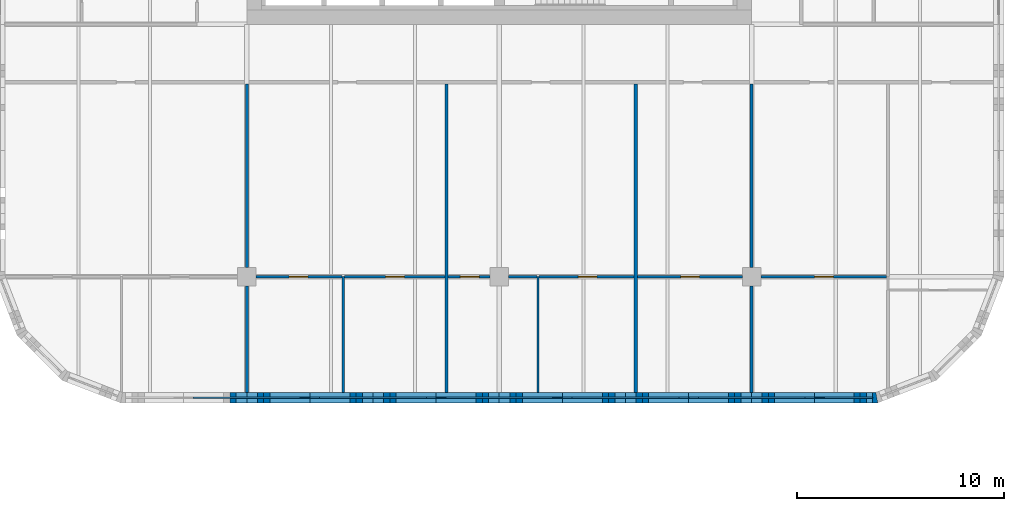
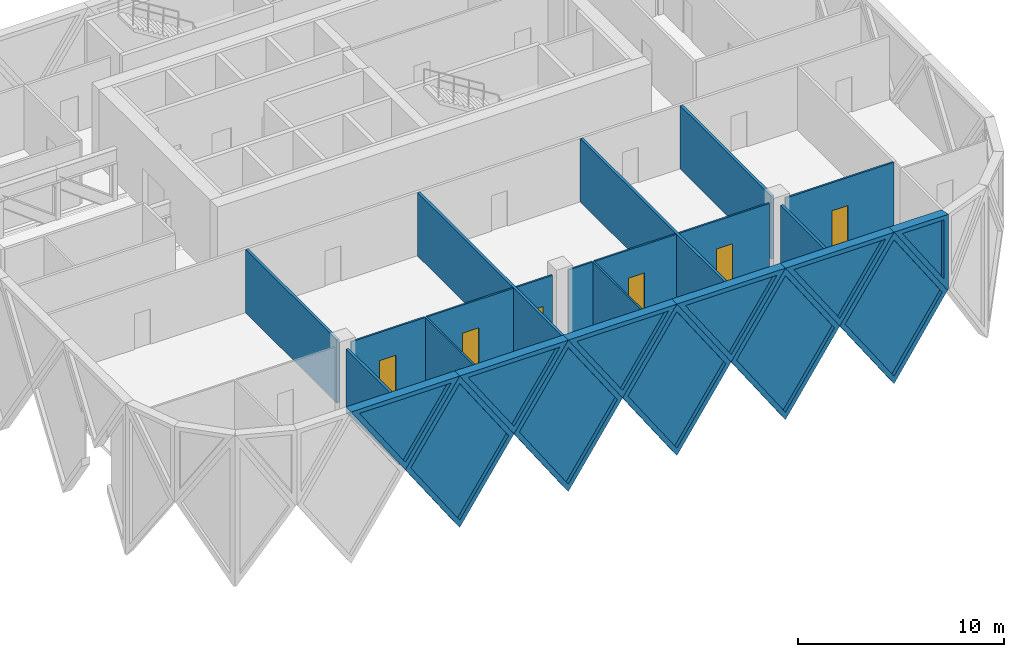
# One storey, part 21 of 30: 26 walls, 11 plates, 6 doors, 17 openings.
"""IFC4 building model written with IfcOpenShell, lengths in metres."""

from ifc_helpers import new_model, si_unit, direction, frame, frame_2d, origin, place, context, subcontext, project, spatial, polyline, rectangle, outline, extrude, faceted_brep, source, transform, mapped, material, layer, layer_set, type_object, element, fill, save


model = new_model("IFC4")

# Units and contexts
model_context = context("Model", 3, precision=1e-05, world=origin(), true_north=direction((0.0, 1.0)))
body_context = subcontext(model_context, "Body", "Model", "MODEL_VIEW")
ifc_project = project(units=[si_unit("LENGTHUNIT", "METRE"), si_unit("AREAUNIT", "SQUARE_METRE"), si_unit("VOLUMEUNIT", "CUBIC_METRE"), si_unit("PLANEANGLEUNIT", "RADIAN"), si_unit("MASSUNIT", "GRAM", prefix="KILO")], contexts=[model_context])

# Site, building, storey
site_placement = place(None, origin())
site = spatial("IfcSite", under=ifc_project, at=site_placement, CompositionType="ELEMENT")
building_placement = place(site_placement, origin())
building = spatial("IfcBuilding", under=site, at=building_placement, Name="Tessera Gate Towers", CompositionType="ELEMENT")
storey_placement = place(building_placement, frame((0.0, 0.0, 21.300048828125)))
storey = spatial("IfcBuildingStorey", under=building, at=storey_placement, Name="L04", CompositionType="ELEMENT", Elevation=21.300048828125)

# Wall, opening, door
ifc_material_1 = material(Name="Glass", Category="glass")
ifc_layer_1 = layer(ifc_material_1, 0.10009765625)
ifc_layer_set_1 = layer_set([ifc_layer_1], Name="GLAZED PARTITION 100")
wall_type_1 = type_object("IfcWallType", Name="GLAZED PARTITION 100", PredefinedType="PARTITIONING", material=ifc_layer_set_1)
wall_1_placement = place(storey_placement, frame((102.210693359375, 24.39990234375, 0.0), z_axis=(0.0, 0.0, 1.0), x_axis=(-1.0, 0.0, 0.0)))
wall_1 = element("IfcWall", 1, at=wall_1_placement, inside=storey, type_object=wall_type_1, Name="T2-L04-PW-013", PredefinedType="PARTITIONING", context=body_context, shape_type="SweptSolid", body=[
    extrude(rectangle(XDim=4.15966796875, YDim=0.10009765625, at=frame_2d((2.079833984375, 0.0))), origin(), (0.0, 0.0, 1.0), 3.766845703125),
])
shared_shape_1 = source(origin(), body_context, "Body", "SweptSolid", [
    extrude(rectangle(XDim=0.89990234375, YDim=2.10009765625, at=frame_2d((0.449951171875, 1.050048828125))), frame((0.0, 0.06005859375, 0.0), z_axis=(0.0, -1.0, 0.0), x_axis=(1.0, 0.0, 0.0)), (0.0, 0.0, 1.0), 0.1201171875),
])
opening_1_placement = place(wall_1_placement, frame((1.659912109375, 0.0, 0.0)))
opening_1 = element("IfcOpeningElement", 2, at=opening_1_placement, cuts=wall_1, Name="Opening D690-B02-02", PredefinedType="OPENING", context=body_context, shape_type="MappedRepresentation", body=[
    mapped(shared_shape_1, transform((0.0, 0.0, 0.0), scale=1.0)),
])
ifc_material_2 = material(Name="Glass in aluminium frame", Category="aluminium")
door_type = type_object("IfcDoorType", Name="GLAZED DOOR 900 NOT RATED", OperationType="NOTDEFINED", PredefinedType="DOOR", material=ifc_material_2)
shared_shape_2 = source(origin(), body_context, "Body", "SweptSolid", [
    extrude(rectangle(XDim=0.89990234375, YDim=2.10009765625, at=frame_2d((0.449951171875, 1.050048828125))), frame((0.0, 0.02490234375, 0.0), z_axis=(0.0, -1.0, 0.0), x_axis=(1.0, 0.0, 0.0)), (0.0, 0.0, 1.0), 0.050048828125),
])
door_1_placement = place(opening_1_placement, origin())
door_1 = element("IfcDoor", 3, at=door_1_placement, inside=storey, type_object=door_type, Name="T2-L04-PD-003", OperationType="SINGLE_SWING_RIGHT", OverallHeight=2.10009765625, OverallWidth=0.89990234375, PredefinedType="DOOR", context=body_context, shape_type="MappedRepresentation", body=[
    mapped(shared_shape_2, transform((0.0, 0.0, 0.0), scale=1.0)),
])
fill(opening_1, door_1)

wall_2_placement = place(storey_placement, frame((107.174072265625, 24.39990234375, 0.0), z_axis=(0.0, 0.0, 1.0), x_axis=(-1.0, 0.0, 0.0)))
wall_2 = element("IfcWall", 4, at=wall_2_placement, inside=storey, type_object=wall_type_1, Name="T2-L04-PW-014", PredefinedType="PARTITIONING", context=body_context, shape_type="SweptSolid", body=[
    extrude(rectangle(XDim=4.861328125, YDim=0.10009765625, at=frame_2d((2.4306640625, 0.0))), origin(), (0.0, 0.0, 1.0), 3.766845703125),
])
opening_2_placement = place(wall_2_placement, frame((1.961181640625, 0.0, 0.0)))
opening_2 = element("IfcOpeningElement", 5, at=opening_2_placement, cuts=wall_2, Name="Opening D690-B02-05", PredefinedType="OPENING", context=body_context, shape_type="MappedRepresentation", body=[
    mapped(shared_shape_1, transform((0.0, 0.0, 0.0), scale=1.0)),
])
door_2_placement = place(opening_2_placement, origin())
door_2 = element("IfcDoor", 6, at=door_2_placement, inside=storey, type_object=door_type, Name="T2-L04-PD-009", OperationType="SINGLE_SWING_RIGHT", OverallHeight=2.10009765625, OverallWidth=0.89990234375, PredefinedType="DOOR", context=body_context, shape_type="MappedRepresentation", body=[
    mapped(shared_shape_2, transform((0.0, 0.0, 0.0), scale=1.0)),
])
fill(opening_2, door_2)

wall_3_placement = place(storey_placement, frame((109.34912109375, 24.39990234375, 0.0), z_axis=(0.0, 0.0, 1.0), x_axis=(-1.0, 0.0, 0.0)))
wall_3 = element("IfcWall", 7, at=wall_3_placement, inside=storey, type_object=wall_type_1, Name="T2-L04-PW-015", PredefinedType="PARTITIONING", context=body_context, shape_type="SweptSolid", body=[
    extrude(rectangle(XDim=2.023193359375, YDim=0.10009765625, at=frame_2d((1.01171875, 0.0))), origin(), (0.0, 0.0, 1.0), 3.766845703125),
])
opening_3_placement = place(wall_3_placement, frame((0.52294921875, 0.0, 0.0)))
opening_3 = element("IfcOpeningElement", 8, at=opening_3_placement, cuts=wall_3, Name="Opening D690-B02-01", PredefinedType="OPENING", context=body_context, shape_type="MappedRepresentation", body=[
    mapped(shared_shape_1, transform((0.0, 0.0, 0.0), scale=1.0)),
])
door_3_placement = place(opening_3_placement, origin())
door_3 = element("IfcDoor", 9, at=door_3_placement, inside=storey, type_object=door_type, Name="T2-L04-PD-002", OperationType="SINGLE_SWING_RIGHT", OverallHeight=2.10009765625, OverallWidth=0.89990234375, PredefinedType="DOOR", context=body_context, shape_type="MappedRepresentation", body=[
    mapped(shared_shape_2, transform((0.0, 0.0, 0.0), scale=1.0)),
])
fill(opening_3, door_3)

# Wall
wall_4_placement = place(storey_placement, frame((110.2509765625, 24.39990234375, 0.0), z_axis=(0.0, 0.0, 1.0), x_axis=(1.0, 0.0, 0.0)))
element("IfcWall", 10, at=wall_4_placement, inside=storey, type_object=wall_type_1, Name="T2-L04-PW-016", PredefinedType="PARTITIONING", context=body_context, shape_type="SweptSolid", body=[
    extrude(rectangle(XDim=1.368408203125, YDim=0.10009765625, at=frame_2d((0.68408203125, 0.0))), origin(), (0.0, 0.0, 1.0), 3.766845703125),
])

# Wall, opening, door
wall_5_placement = place(storey_placement, frame((116.323974609375, 24.39990234375, 0.0), z_axis=(0.0, 0.0, 1.0), x_axis=(-1.0, 0.0, 0.0)))
wall_5 = element("IfcWall", 11, at=wall_5_placement, inside=storey, type_object=wall_type_1, Name="T2-L04-PW-017", PredefinedType="PARTITIONING", context=body_context, shape_type="SweptSolid", body=[
    extrude(rectangle(XDim=4.602783203125, YDim=0.10009765625, at=frame_2d((2.30126953125, 0.0))), origin(), (0.0, 0.0, 1.0), 3.766845703125),
])
opening_4_placement = place(wall_5_placement, frame((1.802734375, 0.0, 0.0)))
opening_4 = element("IfcOpeningElement", 12, at=opening_4_placement, cuts=wall_5, Name="Opening D690-B02-03", PredefinedType="OPENING", context=body_context, shape_type="MappedRepresentation", body=[
    mapped(shared_shape_1, transform((0.0, 0.0, 0.0), scale=1.0)),
])
door_4_placement = place(opening_4_placement, origin())
door_4 = element("IfcDoor", 13, at=door_4_placement, inside=storey, type_object=door_type, Name="T2-L04-PD-006", OperationType="SINGLE_SWING_RIGHT", OverallHeight=2.10009765625, OverallWidth=0.89990234375, PredefinedType="DOOR", context=body_context, shape_type="MappedRepresentation", body=[
    mapped(shared_shape_2, transform((0.0, 0.0, 0.0), scale=1.0)),
])
fill(opening_4, door_4)

wall_6_placement = place(storey_placement, frame((121.549072265625, 24.39990234375, 0.0), z_axis=(0.0, 0.0, 1.0), x_axis=(-1.0, 0.0, 0.0)))
wall_6 = element("IfcWall", 14, at=wall_6_placement, inside=storey, type_object=wall_type_1, Name="T2-L04-PW-018", PredefinedType="PARTITIONING", context=body_context, shape_type="SweptSolid", body=[
    extrude(rectangle(XDim=5.072998046875, YDim=0.10009765625, at=frame_2d((2.53662109375, 0.0))), origin(), (0.0, 0.0, 1.0), 3.766845703125),
])
opening_5_placement = place(wall_6_placement, frame((2.072998046875, 0.0, 0.0)))
opening_5 = element("IfcOpeningElement", 15, at=opening_5_placement, cuts=wall_6, Name="Opening D690-B02-06", PredefinedType="OPENING", context=body_context, shape_type="MappedRepresentation", body=[
    mapped(shared_shape_1, transform((0.0, 0.0, 0.0), scale=1.0)),
])
door_5_placement = place(opening_5_placement, origin())
door_5 = element("IfcDoor", 16, at=door_5_placement, inside=storey, type_object=door_type, Name="T2-L04-PD-010", OperationType="SINGLE_SWING_RIGHT", OverallHeight=2.10009765625, OverallWidth=0.89990234375, PredefinedType="DOOR", context=body_context, shape_type="MappedRepresentation", body=[
    mapped(shared_shape_2, transform((0.0, 0.0, 0.0), scale=1.0)),
])
fill(opening_5, door_5)

wall_7_placement = place(storey_placement, frame((128.52392578125, 24.39990234375, 0.0), z_axis=(0.0, 0.0, 1.0), x_axis=(-1.0, 0.0, 0.0)))
wall_7 = element("IfcWall", 17, at=wall_7_placement, inside=storey, type_object=wall_type_1, Name="T2-L04-PW-019", PredefinedType="PARTITIONING", context=body_context, shape_type="SweptSolid", body=[
    extrude(rectangle(XDim=6.072998046875, YDim=0.10009765625, at=frame_2d((3.03662109375, 0.0))), origin(), (0.0, 0.0, 1.0), 3.766845703125),
])
opening_6_placement = place(wall_7_placement, frame((2.572998046875, 0.0, 0.0)))
opening_6 = element("IfcOpeningElement", 18, at=opening_6_placement, cuts=wall_7, Name="Opening D690-B02-10", PredefinedType="OPENING", context=body_context, shape_type="MappedRepresentation", body=[
    mapped(shared_shape_1, transform((0.0, 0.0, 0.0), scale=1.0)),
])
door_6_placement = place(opening_6_placement, origin())
door_6 = element("IfcDoor", 19, at=door_6_placement, inside=storey, type_object=door_type, Name="T2-L04-PD-018", OperationType="SINGLE_SWING_RIGHT", OverallHeight=2.10009765625, OverallWidth=0.89990234375, PredefinedType="DOOR", context=body_context, shape_type="MappedRepresentation", body=[
    mapped(shared_shape_2, transform((0.0, 0.0, 0.0), scale=1.0)),
])
fill(opening_6, door_6)

# Walls
ifc_material_3 = material(Name="Gypsum board on steel studs", Category="steel")
ifc_layer_2 = layer(ifc_material_3, 0.10009765625)
ifc_layer_set_2 = layer_set([ifc_layer_2], Name="PARTITION 100")
wall_type_2 = type_object("IfcWallType", Name="PARTITION 100", PredefinedType="PARTITIONING", material=ifc_layer_set_2)
for number, where, z_axis, x_axis, name in (
    (20, (102.261962890625, 18.800048828125, 0.0), (0.0, 0.0, 1.0), (0.0, 1.0, 0.0), "T2-L04-PW-002"),
    (21, (111.669921875, 18.800048828125, 0.0), (0.0, 0.0, 1.0), (0.0, 1.0, 0.0), "T2-L04-PW-004"),
):
    element("IfcWall", number, at=place(storey_placement, frame(where, z_axis=z_axis, x_axis=x_axis)), inside=storey, type_object=wall_type_2, Name=name, PredefinedType="PARTITIONING", context=body_context, shape_type="SweptSolid", body=[
        extrude(rectangle(XDim=5.599853515625, YDim=0.10009765625, at=frame_2d((2.7998046875, 0.0))), origin(), (0.0, 0.0, 1.0), 3.766845703125),
    ])
ifc_material_4 = material(Name="Gypsum board on steel studs, mineral wool", Category="steel")
ifc_layer_3 = layer(ifc_material_4, 0.14990234375)
ifc_layer_set_3 = layer_set([ifc_layer_3], Name="TENANCY WALL 150")
wall_type_3 = type_object("IfcWallType", Name="TENANCY WALL 150", PredefinedType="PARTITIONING", material=ifc_layer_set_3)
wall_8_placement = place(storey_placement, frame((97.60009765625, 18.800048828125, 0.0), z_axis=(0.0, 0.0, 1.0), x_axis=(0.0, 1.0, 0.0)))
element("IfcWall", 22, at=wall_8_placement, inside=storey, type_object=wall_type_3, Name="T2-L04-PW-001", PredefinedType="PARTITIONING", context=body_context, shape_type="SweptSolid", body=[
    extrude(rectangle(XDim=5.14892578125, YDim=0.14990234375, at=frame_2d((2.574462890625, 0.0))), origin(), (0.0, 0.0, 1.0), 3.766845703125),
])
for number, where, z_axis, x_axis, name in (
    (23, (107.25, 18.800048828125, 0.0), (0.0, 0.0, 1.0), (0.0, 1.0, 0.0), "T2-L04-PW-003"),
    (24, (116.39990234375, 18.800048828125, 0.0), (0.0, 0.0, 1.0), (0.0, 1.0, 0.0), "T2-L04-PW-005"),
):
    element("IfcWall", number, at=place(storey_placement, frame(where, z_axis=z_axis, x_axis=x_axis)), inside=storey, type_object=wall_type_3, Name=name, PredefinedType="PARTITIONING", context=body_context, shape_type="SweptSolid", body=[
        extrude(rectangle(XDim=14.924072265625, YDim=0.14990234375, at=frame_2d((7.4619140625, 0.0))), origin(), (0.0, 0.0, 1.0), 3.766845703125),
    ])
wall_9_placement = place(storey_placement, frame((122.0, 18.800048828125, 0.0), z_axis=(0.0, 0.0, 1.0), x_axis=(0.0, 1.0, 0.0)))
element("IfcWall", 25, at=wall_9_placement, inside=storey, type_object=wall_type_3, Name="T2-L04-PW-006", PredefinedType="PARTITIONING", context=body_context, shape_type="SweptSolid", body=[
    extrude(rectangle(XDim=5.14892578125, YDim=0.14990234375, at=frame_2d((2.574462890625, 0.0))), origin(), (0.0, 0.0, 1.0), 3.766845703125),
])
for number, where, z_axis, x_axis, name in (
    (26, (97.60009765625, 24.85107421875, 0.0), (0.0, 0.0, 1.0), (0.0, 1.0, 0.0), "T2-L04-PW-021"),
    (27, (122.0, 24.85107421875, 0.0), (0.0, 0.0, 1.0), (0.0, 1.0, 0.0), "T2-L04-PW-022"),
):
    element("IfcWall", number, at=place(storey_placement, frame(where, z_axis=z_axis, x_axis=x_axis)), inside=storey, type_object=wall_type_3, Name=name, PredefinedType="PARTITIONING", context=body_context, shape_type="SweptSolid", body=[
        extrude(rectangle(XDim=8.873046875, YDim=0.14990234375, at=frame_2d((4.4365234375, 0.0))), origin(), (0.0, 0.0, 1.0), 3.766845703125),
    ])

# Wall, opening, plate
ifc_material_5 = material(Name="Precast concrete C60/75 white", Category="concrete")
ifc_layer_4 = layer(ifc_material_5, 0.5)
ifc_layer_set_4 = layer_set([ifc_layer_4], Name="TS1 tessera")
wall_type_4 = type_object("IfcWallType", Name="TS1 tessera", PredefinedType="SOLIDWALL", material=ifc_layer_set_4)
shared_shape_3 = source(origin(), body_context, "Body", "Brep", [
    faceted_brep([(3.050048828125, -0.25, 0.0), (6.099853515625, -0.25, 4.499755859375), (6.099853515625, -0.25, 4.500244140625), (3.050048828125, -0.25, 9.0), (0.0, -0.25, 4.5), (0.0, 0.25, 4.5), (3.050048828125, 0.25, 9.0), (6.099853515625, 0.25, 4.500244140625), (6.099853515625, 0.25, 4.499755859375), (3.050048828125, 0.25, 0.0)], [[[0, 1, 2, 3, 4]], [[5, 6, 7, 8, 9]], [[9, 8, 1, 0]], [[7, 6, 3, 2]], [[6, 5, 4, 3]], [[5, 9, 0, 4]], [[1, 8, 7, 2]]]),
])
wall_10_placement = place(storey_placement, frame((97.60009765625, 18.550048828125, -4.5), z_axis=(0.0, 0.0, 1.0), x_axis=(1.0, 0.0, 0.0)))
wall_10 = element("IfcWall", 28, at=wall_10_placement, inside=storey, type_object=wall_type_4, Name="Precast tessera T2 TS1-0002", PredefinedType="SOLIDWALL", context=body_context, shape_type="MappedRepresentation", body=[
    mapped(shared_shape_3, transform((0.0, 0.0, 0.0), scale=1.0)),
])
shared_shape_4 = source(origin(), body_context, "Body", "SweptSolid", [
    extrude(outline(polyline([(3.050048828125, 0.445556640625), (5.798095703125, 4.5), (3.050048828125, 8.554443359375), (0.302001953125, 4.5), (3.050048828125, 0.445556640625)])), frame((0.0, 0.260009765625, 0.0), z_axis=(0.0, -1.0, 0.0), x_axis=(1.0, 0.0, 0.0)), (0.0, 0.0, 1.0), 0.52001953125),
])
opening_7_placement = place(wall_10_placement, origin())
opening_7 = element("IfcOpeningElement", 29, at=opening_7_placement, cuts=wall_10, Name="Opening T2-PL2-0002", PredefinedType="OPENING", context=body_context, shape_type="MappedRepresentation", body=[
    mapped(shared_shape_4, transform((0.0, 0.0, 0.0), scale=1.0)),
])
ifc_material_6 = material(Name="Low-e laminated glass", Category="glass")
ifc_layer_5 = layer(ifc_material_6, 0.06005859375)
ifc_layer_set_5 = layer_set([ifc_layer_5], Name="PL2 rhombic pane")
plate_type_1 = type_object("IfcPlateType", Name="PL2 rhombic pane", PredefinedType="SHEET", material=ifc_layer_set_5)
shared_shape_5 = source(origin(), body_context, "Body", "SweptSolid", [
    extrude(outline(polyline([(3.050048828125, 0.445556640625), (5.798095703125, 4.5), (3.050048828125, 8.554443359375), (0.302001953125, 4.5), (3.050048828125, 0.445556640625)])), frame((0.0, 0.030029296875, 0.0), z_axis=(0.0, -1.0, 0.0), x_axis=(1.0, 0.0, 0.0)), (0.0, 0.0, 1.0), 0.06005859375),
])
plate_1_placement = place(opening_7_placement, origin())
plate_1 = element("IfcPlate", 30, at=plate_1_placement, inside=storey, type_object=plate_type_1, Name="Glass pane T2 PL2-0002", PredefinedType="SHEET", context=body_context, shape_type="MappedRepresentation", body=[
    mapped(shared_shape_5, transform((0.0, 0.0, 0.0), scale=1.0)),
])
fill(opening_7, plate_1)

wall_11_placement = place(storey_placement, frame((109.800048828125, 18.550048828125, -4.5), z_axis=(0.0, 0.0, 1.0), x_axis=(1.0, 0.0, 0.0)))
wall_11 = element("IfcWall", 31, at=wall_11_placement, inside=storey, type_object=wall_type_4, Name="Precast tessera T2 TS1-0004", PredefinedType="SOLIDWALL", context=body_context, shape_type="MappedRepresentation", body=[
    mapped(shared_shape_3, transform((0.0, 0.0, 0.0), scale=1.0)),
])
opening_8_placement = place(wall_11_placement, origin())
opening_8 = element("IfcOpeningElement", 32, at=opening_8_placement, cuts=wall_11, Name="Opening T2-PL2-0004", PredefinedType="OPENING", context=body_context, shape_type="MappedRepresentation", body=[
    mapped(shared_shape_4, transform((0.0, 0.0, 0.0), scale=1.0)),
])
plate_2_placement = place(opening_8_placement, origin())
plate_2 = element("IfcPlate", 33, at=plate_2_placement, inside=storey, type_object=plate_type_1, Name="Glass pane T2 PL2-0004", PredefinedType="SHEET", context=body_context, shape_type="MappedRepresentation", body=[
    mapped(shared_shape_5, transform((0.0, 0.0, 0.0), scale=1.0)),
])
fill(opening_8, plate_2)

shared_shape_6 = source(origin(), body_context, "Body", "SweptSolid", [
    extrude(outline(polyline([(3.050048828125, 0.0), (6.10009765625, 4.5), (3.050048828125, 9.0), (0.0, 4.5), (3.050048828125, 0.0)])), frame((0.0, 0.25, 0.0), z_axis=(0.0, -1.0, 0.0), x_axis=(1.0, 0.0, 0.0)), (0.0, 0.0, 1.0), 0.5),
])
wall_12_placement = place(storey_placement, frame((103.699951171875, 18.550048828125, -4.5), z_axis=(0.0, 0.0, 1.0), x_axis=(1.0, 0.0, 0.0)))
wall_12 = element("IfcWall", 34, at=wall_12_placement, inside=storey, type_object=wall_type_4, Name="Precast tessera T2 TS1-0003", PredefinedType="SOLIDWALL", context=body_context, shape_type="MappedRepresentation", body=[
    mapped(shared_shape_6, transform((0.0, 0.0, 0.0), scale=1.0)),
])
opening_9_placement = place(wall_12_placement, origin())
opening_9 = element("IfcOpeningElement", 35, at=opening_9_placement, cuts=wall_12, Name="Opening T2-PL2-0003", PredefinedType="OPENING", context=body_context, shape_type="MappedRepresentation", body=[
    mapped(shared_shape_4, transform((0.0, 0.0, 0.0), scale=1.0)),
])
plate_3_placement = place(opening_9_placement, origin())
plate_3 = element("IfcPlate", 36, at=plate_3_placement, inside=storey, type_object=plate_type_1, Name="Glass pane T2 PL2-0003", PredefinedType="SHEET", context=body_context, shape_type="MappedRepresentation", body=[
    mapped(shared_shape_5, transform((0.0, 0.0, 0.0), scale=1.0)),
])
fill(opening_9, plate_3)

wall_13_placement = place(storey_placement, frame((115.89990234375, 18.550048828125, -4.5), z_axis=(0.0, 0.0, 1.0), x_axis=(1.0, 0.0, 0.0)))
wall_13 = element("IfcWall", 37, at=wall_13_placement, inside=storey, type_object=wall_type_4, Name="Precast tessera T2 TS1-0005", PredefinedType="SOLIDWALL", context=body_context, shape_type="MappedRepresentation", body=[
    mapped(shared_shape_6, transform((0.0, 0.0, 0.0), scale=1.0)),
])
opening_10_placement = place(wall_13_placement, origin())
opening_10 = element("IfcOpeningElement", 38, at=opening_10_placement, cuts=wall_13, Name="Opening T2-PL2-0005", PredefinedType="OPENING", context=body_context, shape_type="MappedRepresentation", body=[
    mapped(shared_shape_4, transform((0.0, 0.0, 0.0), scale=1.0)),
])
plate_4_placement = place(opening_10_placement, origin())
plate_4 = element("IfcPlate", 39, at=plate_4_placement, inside=storey, type_object=plate_type_1, Name="Glass pane T2 PL2-0005", PredefinedType="SHEET", context=body_context, shape_type="MappedRepresentation", body=[
    mapped(shared_shape_5, transform((0.0, 0.0, 0.0), scale=1.0)),
])
fill(opening_10, plate_4)

shared_shape_7 = source(origin(), body_context, "Body", "Brep", [
    faceted_brep([(3.050048828125, -0.25, 0.0), (6.053466796875, -0.25, 4.5), (3.050048828125, -0.25, 9.0), (0.0, -0.25, 4.5), (0.0, 0.25, 4.5), (3.050048828125, 0.25, 9.0), (6.0068359375, 0.25, 4.56982421875), (6.0068359375, 0.25, 4.43017578125), (3.050048828125, 0.25, 0.0), (6.053466796875, 0.0, 4.5)], [[[0, 1, 2, 3]], [[4, 5, 6, 7, 8]], [[8, 7, 9, 1, 0]], [[6, 5, 2, 1, 9]], [[5, 4, 3, 2]], [[4, 8, 0, 3]], [[9, 7, 6]]]),
])
wall_14_placement = place(storey_placement, frame((122.0, 18.550048828125, -4.5), z_axis=(0.0, 0.0, 1.0), x_axis=(1.0, 0.0, 0.0)))
wall_14 = element("IfcWall", 40, at=wall_14_placement, inside=storey, type_object=wall_type_4, Name="Precast tessera T2 TS1-0006", PredefinedType="SOLIDWALL", context=body_context, shape_type="MappedRepresentation", body=[
    mapped(shared_shape_7, transform((0.0, 0.0, 0.0), scale=1.0)),
])
shared_shape_8 = source(origin(), body_context, "Body", "SweptSolid", [
    extrude(outline(polyline([(3.04833984375, 0.447998046875), (5.7529296875, 4.5), (3.04833984375, 8.552001953125), (0.302001953125, 4.5), (3.04833984375, 0.447998046875)])), frame((0.0, 0.260009765625, 0.0), z_axis=(0.0, -1.0, 0.0), x_axis=(1.0, 0.0, 0.0)), (0.0, 0.0, 1.0), 0.52001953125),
])
opening_11_placement = place(wall_14_placement, origin())
opening_11 = element("IfcOpeningElement", 41, at=opening_11_placement, cuts=wall_14, Name="Opening T2-PL2-0006", PredefinedType="OPENING", context=body_context, shape_type="MappedRepresentation", body=[
    mapped(shared_shape_8, transform((0.0, 0.0, 0.0), scale=1.0)),
])
shared_shape_9 = source(origin(), body_context, "Body", "SweptSolid", [
    extrude(outline(polyline([(3.04833984375, 0.447998046875), (5.7529296875, 4.5), (3.04833984375, 8.552001953125), (0.302001953125, 4.5), (3.04833984375, 0.447998046875)])), frame((0.0, 0.030029296875, 0.0), z_axis=(0.0, -1.0, 0.0), x_axis=(1.0, 0.0, 0.0)), (0.0, 0.0, 1.0), 0.06005859375),
])
plate_5_placement = place(opening_11_placement, origin())
plate_5 = element("IfcPlate", 42, at=plate_5_placement, inside=storey, type_object=plate_type_1, Name="Glass pane T2 PL2-0006", PredefinedType="SHEET", context=body_context, shape_type="MappedRepresentation", body=[
    mapped(shared_shape_9, transform((0.0, 0.0, 0.0), scale=1.0)),
])
fill(opening_11, plate_5)

ifc_material_7 = material(Name="Precast concrete C60/75 white", Category="concrete")
ifc_layer_6 = layer(ifc_material_7, 0.5)
ifc_layer_set_6 = layer_set([ifc_layer_6], Name="TS2 half tessera")
wall_type_5 = type_object("IfcWallType", Name="TS2 half tessera", PredefinedType="SOLIDWALL", material=ifc_layer_set_6)
shared_shape_10 = source(origin(), body_context, "Body", "Brep", [
    faceted_brep([(3.050048828125, -0.25, 0.0), (6.099853515625, -0.25, 4.499755859375), (6.099853515625, -0.25, 4.5), (0.0, -0.25, 4.5), (0.0, 0.25, 4.5), (6.099853515625, 0.25, 4.5), (6.099853515625, 0.25, 4.499755859375), (3.050048828125, 0.25, 0.0)], [[[0, 1, 2, 3]], [[4, 5, 6, 7]], [[7, 6, 1, 0]], [[5, 4, 3, 2]], [[4, 7, 0, 3]], [[1, 6, 5, 2]]]),
])
wall_15_placement = place(storey_placement, frame((94.550048828125, 18.550048828125, 0.0), z_axis=(0.0, 0.0, 1.0), x_axis=(1.0, 0.0, 0.0)))
wall_15 = element("IfcWall", 43, at=wall_15_placement, inside=storey, type_object=wall_type_5, Name="Precast half tessera T2 TS2-0018", PredefinedType="SOLIDWALL", context=body_context, shape_type="MappedRepresentation", body=[
    mapped(shared_shape_10, transform((0.0, 0.0, 0.0), scale=1.0)),
])
shared_shape_11 = source(origin(), body_context, "Body", "SweptSolid", [
    extrude(outline(polyline([(3.050048828125, 0.445556640625), (5.628662109375, 4.25), (0.471435546875, 4.25), (3.050048828125, 0.445556640625)])), frame((0.0, 0.260009765625, 0.0), z_axis=(0.0, -1.0, 0.0), x_axis=(1.0, 0.0, 0.0)), (0.0, 0.0, 1.0), 0.52001953125),
])
opening_12_placement = place(wall_15_placement, origin())
opening_12 = element("IfcOpeningElement", 44, at=opening_12_placement, cuts=wall_15, Name="Opening T2-PL1-0036", PredefinedType="OPENING", context=body_context, shape_type="MappedRepresentation", body=[
    mapped(shared_shape_11, transform((0.0, 0.0, 0.0), scale=1.0)),
])
ifc_material_8 = material(Name="Low-e laminated glass", Category="glass")
ifc_layer_7 = layer(ifc_material_8, 0.06005859375)
ifc_layer_set_7 = layer_set([ifc_layer_7], Name="PL1 triangular pane")
plate_type_2 = type_object("IfcPlateType", Name="PL1 triangular pane", PredefinedType="SHEET", material=ifc_layer_set_7)
shared_shape_12 = source(origin(), body_context, "Body", "SweptSolid", [
    extrude(outline(polyline([(3.050048828125, 0.445556640625), (5.628662109375, 4.25), (0.471435546875, 4.25), (3.050048828125, 0.445556640625)])), frame((0.0, 0.030029296875, 0.0), z_axis=(0.0, -1.0, 0.0), x_axis=(1.0, 0.0, 0.0)), (0.0, 0.0, 1.0), 0.06005859375),
])
plate_6_placement = place(opening_12_placement, origin())
plate_6 = element("IfcPlate", 45, at=plate_6_placement, inside=storey, type_object=plate_type_2, Name="Glass pane T2 PL1-0036", PredefinedType="SHEET", context=body_context, shape_type="MappedRepresentation", body=[
    mapped(shared_shape_12, transform((0.0, 0.0, 0.0), scale=1.0)),
])
fill(opening_12, plate_6)

wall_16_placement = place(storey_placement, frame((112.85009765625, 18.550048828125, 0.0), z_axis=(0.0, 0.0, 1.0), x_axis=(1.0, 0.0, 0.0)))
wall_16 = element("IfcWall", 46, at=wall_16_placement, inside=storey, type_object=wall_type_5, Name="Precast half tessera T2 TS2-0021", PredefinedType="SOLIDWALL", context=body_context, shape_type="MappedRepresentation", body=[
    mapped(shared_shape_10, transform((0.0, 0.0, 0.0), scale=1.0)),
])
opening_13_placement = place(wall_16_placement, origin())
opening_13 = element("IfcOpeningElement", 47, at=opening_13_placement, cuts=wall_16, Name="Opening T2-PL1-0039", PredefinedType="OPENING", context=body_context, shape_type="MappedRepresentation", body=[
    mapped(shared_shape_11, transform((0.0, 0.0, 0.0), scale=1.0)),
])
plate_7_placement = place(opening_13_placement, origin())
plate_7 = element("IfcPlate", 48, at=plate_7_placement, inside=storey, type_object=plate_type_2, Name="Glass pane T2 PL1-0039", PredefinedType="SHEET", context=body_context, shape_type="MappedRepresentation", body=[
    mapped(shared_shape_12, transform((0.0, 0.0, 0.0), scale=1.0)),
])
fill(opening_13, plate_7)

shared_shape_13 = source(origin(), body_context, "Body", "SweptSolid", [
    extrude(outline(polyline([(3.050048828125, 0.0), (6.10009765625, 4.5), (0.0, 4.5), (3.050048828125, 0.0)])), frame((0.0, 0.25, 0.0), z_axis=(0.0, -1.0, 0.0), x_axis=(1.0, 0.0, 0.0)), (0.0, 0.0, 1.0), 0.5),
])
wall_17_placement = place(storey_placement, frame((100.64990234375, 18.550048828125, 0.0), z_axis=(0.0, 0.0, 1.0), x_axis=(1.0, 0.0, 0.0)))
wall_17 = element("IfcWall", 49, at=wall_17_placement, inside=storey, type_object=wall_type_5, Name="Precast half tessera T2 TS2-0019", PredefinedType="SOLIDWALL", context=body_context, shape_type="MappedRepresentation", body=[
    mapped(shared_shape_13, transform((0.0, 0.0, 0.0), scale=1.0)),
])
opening_14_placement = place(wall_17_placement, origin())
opening_14 = element("IfcOpeningElement", 50, at=opening_14_placement, cuts=wall_17, Name="Opening T2-PL1-0037", PredefinedType="OPENING", context=body_context, shape_type="MappedRepresentation", body=[
    mapped(shared_shape_11, transform((0.0, 0.0, 0.0), scale=1.0)),
])
plate_8_placement = place(opening_14_placement, origin())
plate_8 = element("IfcPlate", 51, at=plate_8_placement, inside=storey, type_object=plate_type_2, Name="Glass pane T2 PL1-0037", PredefinedType="SHEET", context=body_context, shape_type="MappedRepresentation", body=[
    mapped(shared_shape_12, transform((0.0, 0.0, 0.0), scale=1.0)),
])
fill(opening_14, plate_8)

wall_18_placement = place(storey_placement, frame((106.75, 18.550048828125, 0.0), z_axis=(0.0, 0.0, 1.0), x_axis=(1.0, 0.0, 0.0)))
wall_18 = element("IfcWall", 52, at=wall_18_placement, inside=storey, type_object=wall_type_5, Name="Precast half tessera T2 TS2-0020", PredefinedType="SOLIDWALL", context=body_context, shape_type="MappedRepresentation", body=[
    mapped(shared_shape_13, transform((0.0, 0.0, 0.0), scale=1.0)),
])
opening_15_placement = place(wall_18_placement, origin())
opening_15 = element("IfcOpeningElement", 53, at=opening_15_placement, cuts=wall_18, Name="Opening T2-PL1-0038", PredefinedType="OPENING", context=body_context, shape_type="MappedRepresentation", body=[
    mapped(shared_shape_11, transform((0.0, 0.0, 0.0), scale=1.0)),
])
plate_9_placement = place(opening_15_placement, origin())
plate_9 = element("IfcPlate", 54, at=plate_9_placement, inside=storey, type_object=plate_type_2, Name="Glass pane T2 PL1-0038", PredefinedType="SHEET", context=body_context, shape_type="MappedRepresentation", body=[
    mapped(shared_shape_12, transform((0.0, 0.0, 0.0), scale=1.0)),
])
fill(opening_15, plate_9)

wall_19_placement = place(storey_placement, frame((118.949951171875, 18.550048828125, 0.0), z_axis=(0.0, 0.0, 1.0), x_axis=(1.0, 0.0, 0.0)))
wall_19 = element("IfcWall", 55, at=wall_19_placement, inside=storey, type_object=wall_type_5, Name="Precast half tessera T2 TS2-0022", PredefinedType="SOLIDWALL", context=body_context, shape_type="MappedRepresentation", body=[
    mapped(shared_shape_13, transform((0.0, 0.0, 0.0), scale=1.0)),
])
opening_16_placement = place(wall_19_placement, origin())
opening_16 = element("IfcOpeningElement", 56, at=opening_16_placement, cuts=wall_19, Name="Opening T2-PL1-0040", PredefinedType="OPENING", context=body_context, shape_type="MappedRepresentation", body=[
    mapped(shared_shape_11, transform((0.0, 0.0, 0.0), scale=1.0)),
])
plate_10_placement = place(opening_16_placement, origin())
plate_10 = element("IfcPlate", 57, at=plate_10_placement, inside=storey, type_object=plate_type_2, Name="Glass pane T2 PL1-0040", PredefinedType="SHEET", context=body_context, shape_type="MappedRepresentation", body=[
    mapped(shared_shape_12, transform((0.0, 0.0, 0.0), scale=1.0)),
])
fill(opening_16, plate_10)

ifc_material_9 = material(Name="Precast concrete C60/75 white", Category="concrete")
ifc_layer_8 = layer(ifc_material_9, 0.5)
ifc_layer_set_8 = layer_set([ifc_layer_8], Name="TS3 corner tessera")
wall_type_6 = type_object("IfcWallType", Name="TS3 corner tessera", PredefinedType="SOLIDWALL", material=ifc_layer_set_8)
shared_shape_14 = source(origin(), body_context, "Body", "Brep", [
    faceted_brep([(3.00341796875, -0.25, 0.0), (3.050048828125, -0.25, 0.071044921875), (3.050048828125, -0.25, 4.5), (0.0, -0.25, 4.5), (0.0, 0.25, 4.5), (2.956787109375, 0.25, 4.5), (2.956787109375, 0.25, 0.069580078125), (3.00341796875, 0.000244140625, 0.0)], [[[0, 1, 2, 3]], [[4, 5, 6]], [[1, 0, 7]], [[5, 4, 3, 2]], [[4, 6, 7, 0, 3]], [[1, 7, 6, 5, 2]]]),
])
wall_20_placement = place(storey_placement, frame((125.050048828125, 18.550048828125, 0.0), z_axis=(0.0, 0.0, 1.0), x_axis=(1.0, 0.0, 0.0)))
wall_20 = element("IfcWall", 58, at=wall_20_placement, inside=storey, type_object=wall_type_6, Name="Precast corner tessera T2 TS3-0035", PredefinedType="SOLIDWALL", context=body_context, shape_type="MappedRepresentation", body=[
    mapped(shared_shape_14, transform((0.0, 0.0, 0.0), scale=1.0)),
])
shared_shape_15 = source(origin(), body_context, "Body", "SweptSolid", [
    extrude(outline(polyline([(2.803466796875, 4.25), (0.467529296875, 4.25), (2.803466796875, 0.75), (2.803466796875, 4.25)])), frame((0.0, 0.260009765625, 0.0), z_axis=(0.0, -1.0, 0.0), x_axis=(1.0, 0.0, 0.0)), (0.0, 0.0, 1.0), 0.52001953125),
])
opening_17_placement = place(wall_20_placement, origin())
opening_17 = element("IfcOpeningElement", 59, at=opening_17_placement, cuts=wall_20, Name="Opening T2-PL1-0041", PredefinedType="OPENING", context=body_context, shape_type="MappedRepresentation", body=[
    mapped(shared_shape_15, transform((0.0, 0.0, 0.0), scale=1.0)),
])
shared_shape_16 = source(origin(), body_context, "Body", "SweptSolid", [
    extrude(outline(polyline([(2.803466796875, 4.25), (0.467529296875, 4.25), (2.803466796875, 0.75), (2.803466796875, 4.25)])), frame((0.0, 0.030029296875, 0.0), z_axis=(0.0, -1.0, 0.0), x_axis=(1.0, 0.0, 0.0)), (0.0, 0.0, 1.0), 0.06005859375),
])
plate_11_placement = place(opening_17_placement, origin())
plate_11 = element("IfcPlate", 60, at=plate_11_placement, inside=storey, type_object=plate_type_2, Name="Glass pane T2 PL1-0041", PredefinedType="SHEET", context=body_context, shape_type="MappedRepresentation", body=[
    mapped(shared_shape_16, transform((0.0, 0.0, 0.0), scale=1.0)),
])
fill(opening_17, plate_11)

save(model, "model.ifc")
